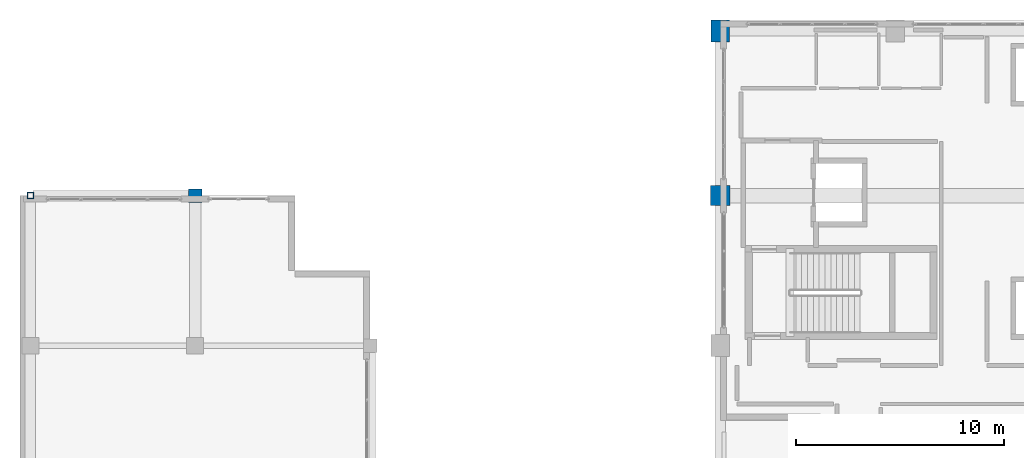
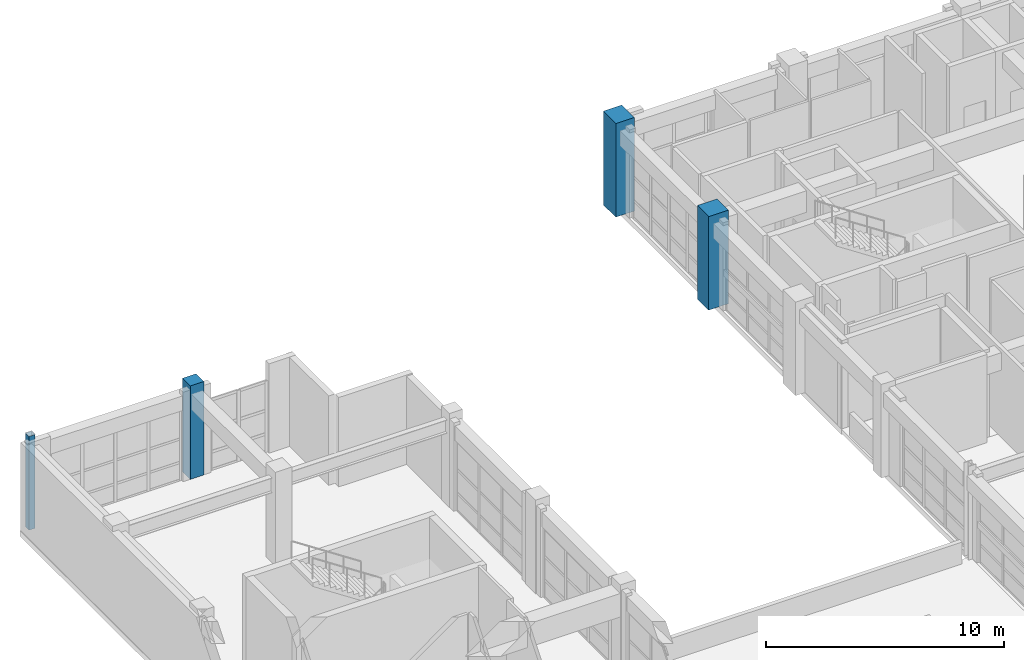
# One storey, part 8 of 123: 4 columns.
"""IFC4 building model written with IfcOpenShell, lengths in metres."""

from ifc_helpers import new_model, si_unit, direction, frame, origin, origin_2d, place, context, subcontext, project, spatial, rectangle, hollow_rectangle, extrude, material, material_profile, profile_set, type_object, element, save


model = new_model("IFC4")

# Units and contexts
model_context = context("Model", 3, precision=1e-05, world=origin(), true_north=direction((0.0, 1.0)))
body_context = subcontext(model_context, "Body", "Model", "MODEL_VIEW")
ifc_project = project(units=[si_unit("LENGTHUNIT", "METRE"), si_unit("AREAUNIT", "SQUARE_METRE"), si_unit("VOLUMEUNIT", "CUBIC_METRE"), si_unit("PLANEANGLEUNIT", "RADIAN"), si_unit("MASSUNIT", "GRAM", prefix="KILO")], contexts=[model_context])

# Site, building, storey
site_placement = place(None, origin())
site = spatial("IfcSite", under=ifc_project, at=site_placement, CompositionType="ELEMENT")
building_placement = place(site_placement, origin())
building = spatial("IfcBuilding", under=site, at=building_placement, Name="Quendrovan Civic Courthouse", CompositionType="ELEMENT")
storey_placement = place(building_placement, frame((0.0, 0.0, 5.39990234375)))
storey = spatial("IfcBuildingStorey", under=building, at=storey_placement, Name="L02", CompositionType="ELEMENT", Elevation=5.39990234375)

# Columns
ifc_material_1 = material(Name="Concrete C45/55", Category="concrete")
ifc_material_profile_1 = material_profile(ifc_material_1, rectangle(XDim=0.89990234375, YDim=1.050048828125, at=origin_2d()), Name="RC-COL-900x1050")
ifc_profile_set_1 = profile_set([ifc_material_profile_1], Name="Concrete C45/55")
column_type_1 = type_object("IfcColumnType", Name="COL-RC-900x1050", PredefinedType="COLUMN", material=ifc_profile_set_1)
column_1_placement = place(storey_placement, frame((33.60009765625, 109.89990234375, 0.0), z_axis=(0.0, 0.0, 1.0), x_axis=(1.0, 0.0, 0.0)))
element("IfcColumn", 1, at=column_1_placement, inside=storey, type_object=column_type_1, Name="L02 Column 5-Q", PredefinedType="COLUMN", context=body_context, shape_type="SweptSolid", body=[
    extrude(rectangle(XDim=0.89990234375, YDim=1.050048828125, at=origin_2d()), origin(), (0.0, 0.0, 1.0), 4.800048828125),
])
ifc_material_profile_2 = material_profile(ifc_material_1, rectangle(XDim=0.64990234375, YDim=0.64990234375, at=origin_2d()), Name="RC-COL-650x650")
ifc_profile_set_2 = profile_set([ifc_material_profile_2], Name="Concrete C45/55")
column_type_2 = type_object("IfcColumnType", Name="COL-RC650", PredefinedType="COLUMN", material=ifc_profile_set_2)
column_2_placement = place(storey_placement, frame((8.39990234375, 102.0, 0.0), z_axis=(0.0, 0.0, 1.0), x_axis=(1.0, 0.0, 0.0)))
element("IfcColumn", 2, at=column_2_placement, inside=storey, type_object=column_type_2, Name="L02 Column 2-P", PredefinedType="COLUMN", context=body_context, shape_type="SweptSolid", body=[
    extrude(rectangle(XDim=0.64990234375, YDim=0.64990234375, at=origin_2d()), origin(), (0.0, 0.0, 1.0), 4.800048828125),
])
ifc_material_profile_3 = material_profile(ifc_material_1, rectangle(XDim=0.949951171875, YDim=0.949951171875, at=origin_2d()), Name="RC-COL-950x950")
ifc_profile_set_3 = profile_set([ifc_material_profile_3], Name="Concrete C45/55")
column_type_3 = type_object("IfcColumnType", Name="COL-RC950", PredefinedType="COLUMN", material=ifc_profile_set_3)
column_3_placement = place(storey_placement, frame((33.60009765625, 102.0, 0.0), z_axis=(0.0, 0.0, 1.0), x_axis=(1.0, 0.0, 0.0)))
element("IfcColumn", 3, at=column_3_placement, inside=storey, type_object=column_type_3, Name="L02 Column 5-P", PredefinedType="COLUMN", context=body_context, shape_type="SweptSolid", body=[
    extrude(rectangle(XDim=0.949951171875, YDim=0.949951171875, at=origin_2d()), origin(), (0.0, 0.0, 1.0), 4.800048828125),
])
ifc_material_2 = material(Name="Steel ASTM A500 Grade C", Category="steel")
ifc_material_profile_4 = material_profile(ifc_material_2, hollow_rectangle(XDim=0.300048828125, YDim=0.300048828125, WallThickness=0.011962890625, at=origin_2d()), Name="HSS300x300x12")
ifc_profile_set_4 = profile_set([ifc_material_profile_4], Name="Steel ASTM A500 Grade C")
column_type_4 = type_object("IfcColumnType", Name="COL-STL-HSS300S", PredefinedType="COLUMN", material=ifc_profile_set_4)
column_4_placement = place(storey_placement, frame((0.5, 102.0, 0.0), z_axis=(0.0, 0.0, 1.0), x_axis=(1.0, 0.0, 0.0)))
element("IfcColumn", 4, at=column_4_placement, inside=storey, type_object=column_type_4, Name="L02 Column 1-P", PredefinedType="COLUMN", context=body_context, shape_type="SweptSolid", body=[
    extrude(hollow_rectangle(XDim=0.300048828125, YDim=0.300048828125, WallThickness=0.011962890625, at=origin_2d()), origin(), (0.0, 0.0, 1.0), 4.800048828125),
])

save(model, "model.ifc")
